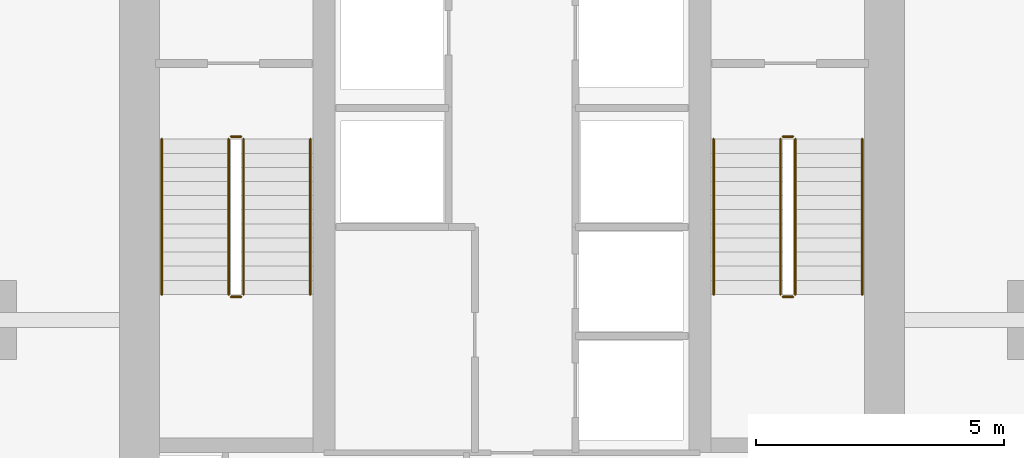
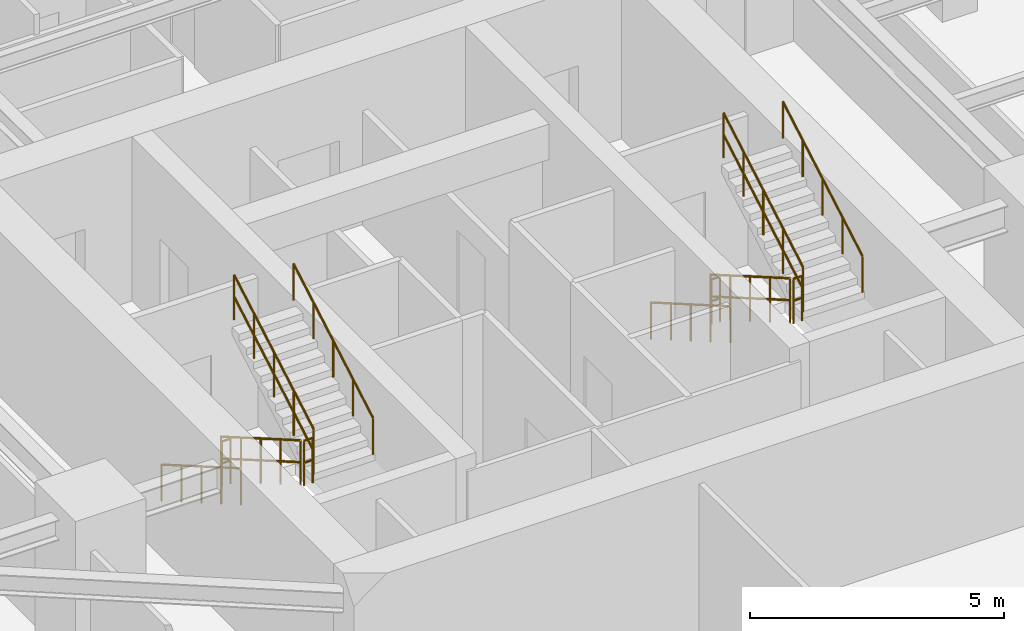
# One storey, part 23 of 24: 12 railings.
"""IFC4 building model written with IfcOpenShell, lengths in metres."""

from ifc_helpers import new_model, si_unit, direction, frame, origin, origin_2d, place, context, subcontext, project, spatial, circle, extrude, material, layer, layer_set, type_object, element, save


model = new_model("IFC4")

# Units and contexts
model_context = context("Model", 3, precision=1e-05, world=origin(), true_north=direction((0.0, 1.0)))
body_context = subcontext(model_context, "Body", "Model", "MODEL_VIEW")
ifc_project = project(units=[si_unit("LENGTHUNIT", "METRE"), si_unit("AREAUNIT", "SQUARE_METRE"), si_unit("VOLUMEUNIT", "CUBIC_METRE"), si_unit("PLANEANGLEUNIT", "RADIAN"), si_unit("MASSUNIT", "GRAM", prefix="KILO")], contexts=[model_context])

# Site, building, storey
site_placement = place(None, origin())
site = spatial("IfcSite", under=ifc_project, at=site_placement, CompositionType="ELEMENT")
building_placement = place(site_placement, origin())
building = spatial("IfcBuilding", under=site, at=building_placement, Name="Krantzveldt Concourse Tower", CompositionType="ELEMENT")
storey_placement = place(building_placement, frame((0.0, 0.0, 258.64990234375)))
storey = spatial("IfcBuildingStorey", under=building, at=storey_placement, Name="L63", CompositionType="ELEMENT", Elevation=258.64990234375)

# Railings
ifc_material = material(Name="Stainless steel 316L", Category="steel")
ifc_layer_1 = layer(ifc_material, 0.06005859375, Name="Stainless steel 316L", Category="steel")
ifc_layer_set_1 = layer_set([ifc_layer_1], Name="Stainless steel 316L (RL-GUARD-1120)")
railing_type_1 = type_object("IfcRailingType", Name="RL-GUARD-1120", PredefinedType="GUARDRAIL", material=ifc_layer_set_1)
railing_1_placement = place(storey_placement, frame((30.280029296875, 19.550048828125, 0.164794921875)))
element("IfcRailing", 1, at=railing_1_placement, inside=storey, type_object=railing_type_1, Name="L63 ST-1 stair guard 1", PredefinedType="GUARDRAIL", context=body_context, shape_type="SweptSolid", body=[
    extrude(circle(Radius=0.02392578125, at=origin_2d()), frame((0.0, 0.0, 1.076171875), z_axis=(0.0, -0.865989039225, 0.500062979975), x_axis=(1.0, 0.0, 0.0)), (0.0, 0.0, 1.0), 3.6201171875),
    extrude(circle(Radius=0.02392578125, at=origin_2d()), frame((0.0, 0.0, 0.550048828125), z_axis=(0.0, -0.865989039225, 0.500062979975), x_axis=(1.0, 0.0, 0.0)), (0.0, 0.0, 1.0), 3.6201171875),
    extrude(circle(Radius=0.02099609375, at=origin_2d()), origin(), (0.0, 0.0, 1.0), 1.052001953125),
    extrude(circle(Radius=0.02099609375, at=origin_2d()), frame((0.0, -0.78369140625, 0.45263671875)), (0.0, 0.0, 1.0), 1.052001953125),
    extrude(circle(Radius=0.02099609375, at=origin_2d()), frame((0.0, -1.5673828125, 0.9052734375)), (0.0, 0.0, 1.0), 1.052001953125),
    extrude(circle(Radius=0.02099609375, at=origin_2d()), frame((0.0, -2.351318359375, 1.357666015625)), (0.0, 0.0, 1.0), 1.052001953125),
    extrude(circle(Radius=0.02099609375, at=origin_2d()), frame((0.0, -3.135009765625, 1.810302734375)), (0.0, 0.0, 1.0), 1.052001953125),
])
railing_2_placement = place(storey_placement, frame((30.330078125, 16.364990234375, 1.97509765625)))
element("IfcRailing", 2, at=railing_2_placement, inside=storey, type_object=railing_type_1, Name="L63 ST-1 stair guard 2", PredefinedType="GUARDRAIL", context=body_context, shape_type="SweptSolid", body=[
    extrude(circle(Radius=0.02392578125, at=origin_2d()), frame((0.0, 0.0, 1.076171875), z_axis=(1.0, 0.0, 0.0), x_axis=(0.0, 1.0, 0.0)), (0.0, 0.0, 1.0), 0.199951171875),
    extrude(circle(Radius=0.02392578125, at=origin_2d()), frame((0.0, 0.0, 0.550048828125), z_axis=(1.0, 0.0, 0.0), x_axis=(0.0, 1.0, 0.0)), (0.0, 0.0, 1.0), 0.199951171875),
    extrude(circle(Radius=0.02099609375, at=origin_2d()), origin(), (0.0, 0.0, 1.0), 1.052001953125),
    extrude(circle(Radius=0.02099609375, at=origin_2d()), frame((0.199951171875, 0.0, 0.0)), (0.0, 0.0, 1.0), 1.052001953125),
])
railing_3_placement = place(storey_placement, frame((30.580078125, 16.4150390625, 2.1396484375)))
element("IfcRailing", 3, at=railing_3_placement, inside=storey, type_object=railing_type_1, Name="L63 ST-1 stair guard 3", PredefinedType="GUARDRAIL", context=body_context, shape_type="SweptSolid", body=[
    extrude(circle(Radius=0.02392578125, at=origin_2d()), frame((0.0, 0.0, 1.076171875), z_axis=(0.0, 0.865959834175, 0.500113552702), x_axis=(-1.0, 0.0, 0.0)), (0.0, 0.0, 1.0), 3.620361328125),
    extrude(circle(Radius=0.02392578125, at=origin_2d()), frame((0.0, 0.0, 0.550048828125), z_axis=(0.0, 0.865959834175, 0.500113552702), x_axis=(-1.0, 0.0, 0.0)), (0.0, 0.0, 1.0), 3.620361328125),
    extrude(circle(Radius=0.02099609375, at=origin_2d()), origin(), (0.0, 0.0, 1.0), 1.052001953125),
    extrude(circle(Radius=0.02099609375, at=origin_2d()), frame((0.0, 0.78369140625, 0.45263671875)), (0.0, 0.0, 1.0), 1.052001953125),
    extrude(circle(Radius=0.02099609375, at=origin_2d()), frame((0.0, 1.5673828125, 0.9052734375)), (0.0, 0.0, 1.0), 1.052001953125),
    extrude(circle(Radius=0.02099609375, at=origin_2d()), frame((0.0, 2.351318359375, 1.35791015625)), (0.0, 0.0, 1.0), 1.052001953125),
    extrude(circle(Radius=0.02099609375, at=origin_2d()), frame((0.0, 3.135009765625, 1.810546875)), (0.0, 0.0, 1.0), 1.052001953125),
])
railing_4_placement = place(storey_placement, frame((30.330078125, 19.60009765625, 0.0)))
element("IfcRailing", 4, at=railing_4_placement, inside=storey, type_object=railing_type_1, Name="L63 ST-1 stair guard 4", PredefinedType="GUARDRAIL", context=body_context, shape_type="SweptSolid", body=[
    extrude(circle(Radius=0.02392578125, at=origin_2d()), frame((0.0, 0.0, 1.076171875), z_axis=(1.0, 0.0, 0.0), x_axis=(0.0, 1.0, 0.0)), (0.0, 0.0, 1.0), 0.199951171875),
    extrude(circle(Radius=0.02392578125, at=origin_2d()), frame((0.0, 0.0, 0.550048828125), z_axis=(1.0, 0.0, 0.0), x_axis=(0.0, 1.0, 0.0)), (0.0, 0.0, 1.0), 0.199951171875),
    extrude(circle(Radius=0.02099609375, at=origin_2d()), origin(), (0.0, 0.0, 1.0), 1.052001953125),
    extrude(circle(Radius=0.02099609375, at=origin_2d()), frame((0.199951171875, 0.0, 0.0)), (0.0, 0.0, 1.0), 1.052001953125),
])
railing_5_placement = place(storey_placement, frame((41.419921875, 19.550048828125, 0.164794921875)))
element("IfcRailing", 5, at=railing_5_placement, inside=storey, type_object=railing_type_1, Name="L63 ST-2 stair guard 1", PredefinedType="GUARDRAIL", context=body_context, shape_type="SweptSolid", body=[
    extrude(circle(Radius=0.02392578125, at=origin_2d()), frame((0.0, 0.0, 1.076171875), z_axis=(0.0, -0.865989039225, 0.500062979975), x_axis=(1.0, 0.0, 0.0)), (0.0, 0.0, 1.0), 3.6201171875),
    extrude(circle(Radius=0.02392578125, at=origin_2d()), frame((0.0, 0.0, 0.550048828125), z_axis=(0.0, -0.865989039225, 0.500062979975), x_axis=(1.0, 0.0, 0.0)), (0.0, 0.0, 1.0), 3.6201171875),
    extrude(circle(Radius=0.02099609375, at=origin_2d()), origin(), (0.0, 0.0, 1.0), 1.052001953125),
    extrude(circle(Radius=0.02099609375, at=origin_2d()), frame((0.0, -0.78369140625, 0.45263671875)), (0.0, 0.0, 1.0), 1.052001953125),
    extrude(circle(Radius=0.02099609375, at=origin_2d()), frame((0.0, -1.5673828125, 0.9052734375)), (0.0, 0.0, 1.0), 1.052001953125),
    extrude(circle(Radius=0.02099609375, at=origin_2d()), frame((0.0, -2.351318359375, 1.357666015625)), (0.0, 0.0, 1.0), 1.052001953125),
    extrude(circle(Radius=0.02099609375, at=origin_2d()), frame((0.0, -3.135009765625, 1.810302734375)), (0.0, 0.0, 1.0), 1.052001953125),
])
railing_6_placement = place(storey_placement, frame((41.469970703125, 16.364990234375, 1.97509765625)))
element("IfcRailing", 6, at=railing_6_placement, inside=storey, type_object=railing_type_1, Name="L63 ST-2 stair guard 2", PredefinedType="GUARDRAIL", context=body_context, shape_type="SweptSolid", body=[
    extrude(circle(Radius=0.02392578125, at=origin_2d()), frame((0.0, 0.0, 1.076171875), z_axis=(1.0, 0.0, 0.0), x_axis=(0.0, 1.0, 0.0)), (0.0, 0.0, 1.0), 0.199951171875),
    extrude(circle(Radius=0.02392578125, at=origin_2d()), frame((0.0, 0.0, 0.550048828125), z_axis=(1.0, 0.0, 0.0), x_axis=(0.0, 1.0, 0.0)), (0.0, 0.0, 1.0), 0.199951171875),
    extrude(circle(Radius=0.02099609375, at=origin_2d()), origin(), (0.0, 0.0, 1.0), 1.052001953125),
    extrude(circle(Radius=0.02099609375, at=origin_2d()), frame((0.199951171875, 0.0, 0.0)), (0.0, 0.0, 1.0), 1.052001953125),
])
railing_7_placement = place(storey_placement, frame((41.719970703125, 16.4150390625, 2.1396484375)))
element("IfcRailing", 7, at=railing_7_placement, inside=storey, type_object=railing_type_1, Name="L63 ST-2 stair guard 3", PredefinedType="GUARDRAIL", context=body_context, shape_type="SweptSolid", body=[
    extrude(circle(Radius=0.02392578125, at=origin_2d()), frame((0.0, 0.0, 1.076171875), z_axis=(0.0, 0.865959834175, 0.500113552702), x_axis=(-1.0, 0.0, 0.0)), (0.0, 0.0, 1.0), 3.620361328125),
    extrude(circle(Radius=0.02392578125, at=origin_2d()), frame((0.0, 0.0, 0.550048828125), z_axis=(0.0, 0.865959834175, 0.500113552702), x_axis=(-1.0, 0.0, 0.0)), (0.0, 0.0, 1.0), 3.620361328125),
    extrude(circle(Radius=0.02099609375, at=origin_2d()), origin(), (0.0, 0.0, 1.0), 1.052001953125),
    extrude(circle(Radius=0.02099609375, at=origin_2d()), frame((0.0, 0.78369140625, 0.45263671875)), (0.0, 0.0, 1.0), 1.052001953125),
    extrude(circle(Radius=0.02099609375, at=origin_2d()), frame((0.0, 1.5673828125, 0.9052734375)), (0.0, 0.0, 1.0), 1.052001953125),
    extrude(circle(Radius=0.02099609375, at=origin_2d()), frame((0.0, 2.351318359375, 1.35791015625)), (0.0, 0.0, 1.0), 1.052001953125),
    extrude(circle(Radius=0.02099609375, at=origin_2d()), frame((0.0, 3.135009765625, 1.810546875)), (0.0, 0.0, 1.0), 1.052001953125),
])
railing_8_placement = place(storey_placement, frame((41.469970703125, 19.60009765625, 0.0)))
element("IfcRailing", 8, at=railing_8_placement, inside=storey, type_object=railing_type_1, Name="L63 ST-2 stair guard 4", PredefinedType="GUARDRAIL", context=body_context, shape_type="SweptSolid", body=[
    extrude(circle(Radius=0.02392578125, at=origin_2d()), frame((0.0, 0.0, 1.076171875), z_axis=(1.0, 0.0, 0.0), x_axis=(0.0, 1.0, 0.0)), (0.0, 0.0, 1.0), 0.199951171875),
    extrude(circle(Radius=0.02392578125, at=origin_2d()), frame((0.0, 0.0, 0.550048828125), z_axis=(1.0, 0.0, 0.0), x_axis=(0.0, 1.0, 0.0)), (0.0, 0.0, 1.0), 0.199951171875),
    extrude(circle(Radius=0.02099609375, at=origin_2d()), origin(), (0.0, 0.0, 1.0), 1.052001953125),
    extrude(circle(Radius=0.02099609375, at=origin_2d()), frame((0.199951171875, 0.0, 0.0)), (0.0, 0.0, 1.0), 1.052001953125),
])
ifc_layer_2 = layer(ifc_material, 0.050048828125, Name="Stainless steel 316L", Category="steel")
ifc_layer_set_2 = layer_set([ifc_layer_2], Name="Stainless steel 316L (RL-HANDRAIL-920)")
railing_type_2 = type_object("IfcRailingType", Name="RL-HANDRAIL-920", PredefinedType="HANDRAIL", material=ifc_layer_set_2)
railing_9_placement = place(storey_placement, frame((28.929931640625, 19.550048828125, 0.164794921875)))
element("IfcRailing", 9, at=railing_9_placement, inside=storey, type_object=railing_type_2, Name="L63 ST-1 stair handrail 1", PredefinedType="HANDRAIL", context=body_context, shape_type="SweptSolid", body=[
    extrude(circle(Radius=0.02392578125, at=origin_2d()), frame((0.0, 0.0, 0.8759765625), z_axis=(0.0, -0.865989039225, 0.500062979975), x_axis=(1.0, 0.0, 0.0)), (0.0, 0.0, 1.0), 3.6201171875),
    extrude(circle(Radius=0.02099609375, at=origin_2d()), origin(), (0.0, 0.0, 1.0), 0.851806640625),
    extrude(circle(Radius=0.02099609375, at=origin_2d()), frame((0.0, -0.78369140625, 0.45263671875)), (0.0, 0.0, 1.0), 0.851806640625),
    extrude(circle(Radius=0.02099609375, at=origin_2d()), frame((0.0, -1.5673828125, 0.9052734375)), (0.0, 0.0, 1.0), 0.851806640625),
    extrude(circle(Radius=0.02099609375, at=origin_2d()), frame((0.0, -2.351318359375, 1.357666015625)), (0.0, 0.0, 1.0), 0.851806640625),
    extrude(circle(Radius=0.02099609375, at=origin_2d()), frame((0.0, -3.135009765625, 1.810302734375)), (0.0, 0.0, 1.0), 0.851806640625),
])
railing_10_placement = place(storey_placement, frame((31.929931640625, 16.4150390625, 2.1396484375)))
element("IfcRailing", 10, at=railing_10_placement, inside=storey, type_object=railing_type_2, Name="L63 ST-1 stair handrail 2", PredefinedType="HANDRAIL", context=body_context, shape_type="SweptSolid", body=[
    extrude(circle(Radius=0.02392578125, at=origin_2d()), frame((0.0, 0.0, 0.8759765625), z_axis=(0.0, 0.865959834175, 0.500113552702), x_axis=(-1.0, 0.0, 0.0)), (0.0, 0.0, 1.0), 3.620361328125),
    extrude(circle(Radius=0.02099609375, at=origin_2d()), origin(), (0.0, 0.0, 1.0), 0.851806640625),
    extrude(circle(Radius=0.02099609375, at=origin_2d()), frame((0.0, 0.78369140625, 0.45263671875)), (0.0, 0.0, 1.0), 0.851806640625),
    extrude(circle(Radius=0.02099609375, at=origin_2d()), frame((0.0, 1.5673828125, 0.9052734375)), (0.0, 0.0, 1.0), 0.851806640625),
    extrude(circle(Radius=0.02099609375, at=origin_2d()), frame((0.0, 2.351318359375, 1.35791015625)), (0.0, 0.0, 1.0), 0.851806640625),
    extrude(circle(Radius=0.02099609375, at=origin_2d()), frame((0.0, 3.135009765625, 1.810546875)), (0.0, 0.0, 1.0), 0.851806640625),
])
railing_11_placement = place(storey_placement, frame((40.070068359375, 19.550048828125, 0.164794921875)))
element("IfcRailing", 11, at=railing_11_placement, inside=storey, type_object=railing_type_2, Name="L63 ST-2 stair handrail 1", PredefinedType="HANDRAIL", context=body_context, shape_type="SweptSolid", body=[
    extrude(circle(Radius=0.02392578125, at=origin_2d()), frame((0.0, 0.0, 0.8759765625), z_axis=(0.0, -0.865989039225, 0.500062979975), x_axis=(1.0, 0.0, 0.0)), (0.0, 0.0, 1.0), 3.6201171875),
    extrude(circle(Radius=0.02099609375, at=origin_2d()), origin(), (0.0, 0.0, 1.0), 0.851806640625),
    extrude(circle(Radius=0.02099609375, at=origin_2d()), frame((0.0, -0.78369140625, 0.45263671875)), (0.0, 0.0, 1.0), 0.851806640625),
    extrude(circle(Radius=0.02099609375, at=origin_2d()), frame((0.0, -1.5673828125, 0.9052734375)), (0.0, 0.0, 1.0), 0.851806640625),
    extrude(circle(Radius=0.02099609375, at=origin_2d()), frame((0.0, -2.351318359375, 1.357666015625)), (0.0, 0.0, 1.0), 0.851806640625),
    extrude(circle(Radius=0.02099609375, at=origin_2d()), frame((0.0, -3.135009765625, 1.810302734375)), (0.0, 0.0, 1.0), 0.851806640625),
])
railing_12_placement = place(storey_placement, frame((43.070068359375, 16.4150390625, 2.1396484375)))
element("IfcRailing", 12, at=railing_12_placement, inside=storey, type_object=railing_type_2, Name="L63 ST-2 stair handrail 2", PredefinedType="HANDRAIL", context=body_context, shape_type="SweptSolid", body=[
    extrude(circle(Radius=0.02392578125, at=origin_2d()), frame((0.0, 0.0, 0.8759765625), z_axis=(0.0, 0.865959834175, 0.500113552702), x_axis=(-1.0, 0.0, 0.0)), (0.0, 0.0, 1.0), 3.620361328125),
    extrude(circle(Radius=0.02099609375, at=origin_2d()), origin(), (0.0, 0.0, 1.0), 0.851806640625),
    extrude(circle(Radius=0.02099609375, at=origin_2d()), frame((0.0, 0.78369140625, 0.45263671875)), (0.0, 0.0, 1.0), 0.851806640625),
    extrude(circle(Radius=0.02099609375, at=origin_2d()), frame((0.0, 1.5673828125, 0.9052734375)), (0.0, 0.0, 1.0), 0.851806640625),
    extrude(circle(Radius=0.02099609375, at=origin_2d()), frame((0.0, 2.351318359375, 1.35791015625)), (0.0, 0.0, 1.0), 0.851806640625),
    extrude(circle(Radius=0.02099609375, at=origin_2d()), frame((0.0, 3.135009765625, 1.810546875)), (0.0, 0.0, 1.0), 0.851806640625),
])

save(model, "model.ifc")
